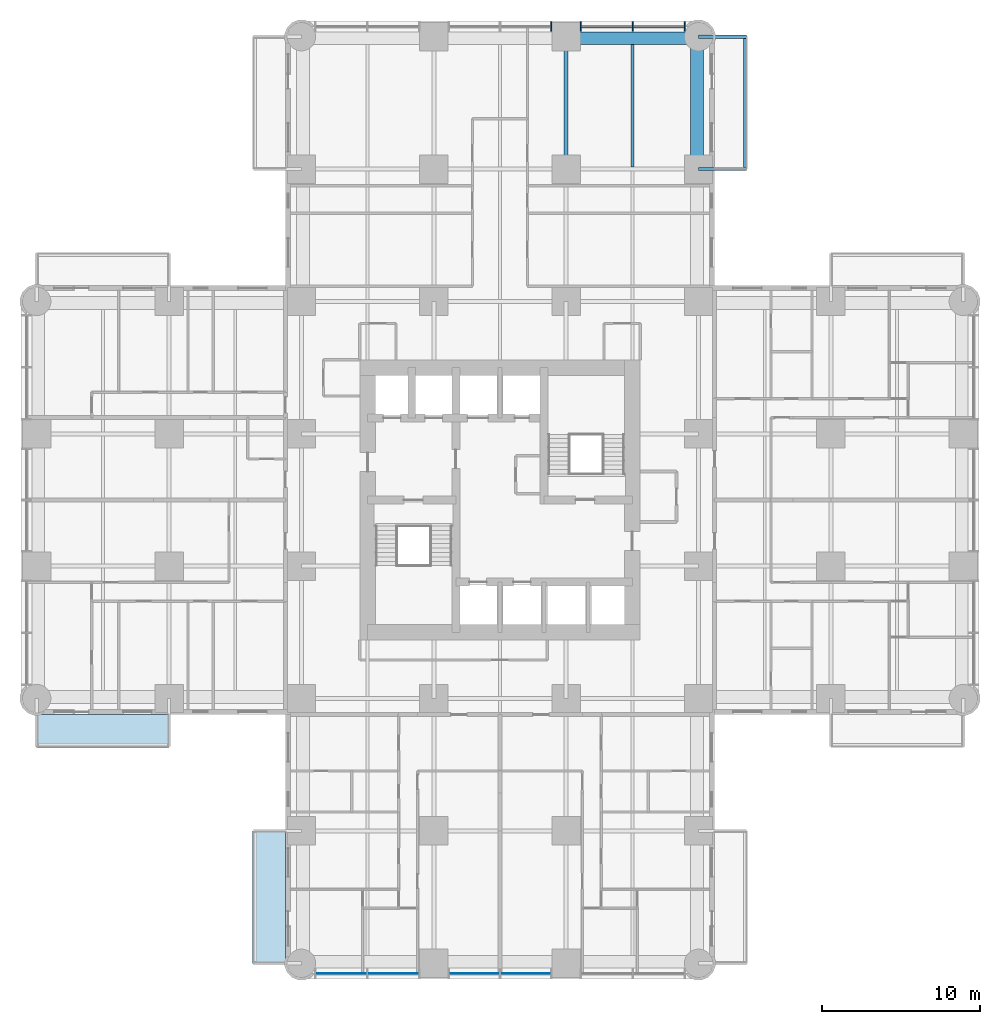
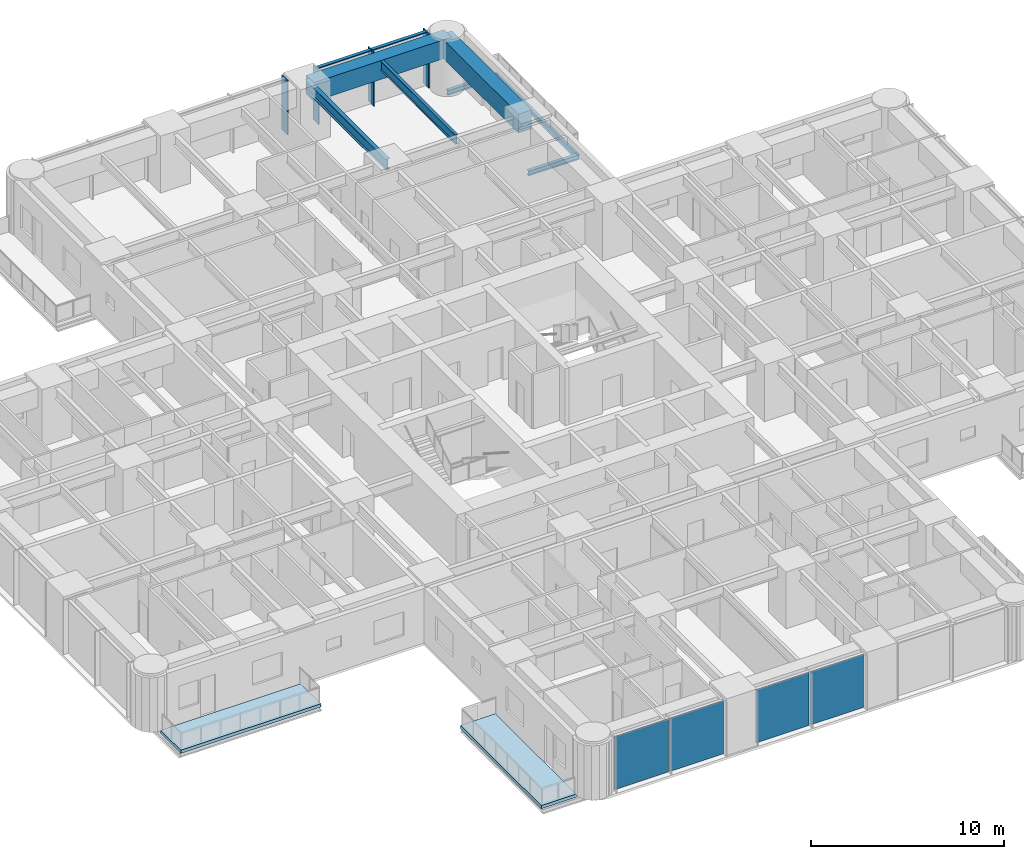
# One storey, part 5 of 17: 7 beams, 6 members, 4 plates, 2 slabs, 2 elements without a shape of their own.
"""IFC4 building model written with IfcOpenShell, lengths in metres."""

from ifc_helpers import new_model, si_unit, direction, frame, origin, origin_2d, place, context, subcontext, project, spatial, polyline, rectangle, i_section, outline, extrude, material, layer, layer_set, material_profile, profile_set, type_object, element, aggregate, save


model = new_model("IFC4")

# Units and contexts
model_context = context("Model", 3, precision=1e-05, world=origin(), true_north=direction((0.0, 1.0)))
body_context = subcontext(model_context, "Body", "Model", "MODEL_VIEW")
ifc_project = project(units=[si_unit("LENGTHUNIT", "METRE"), si_unit("AREAUNIT", "SQUARE_METRE"), si_unit("VOLUMEUNIT", "CUBIC_METRE"), si_unit("PLANEANGLEUNIT", "RADIAN"), si_unit("MASSUNIT", "GRAM", prefix="KILO")], contexts=[model_context])

# Site, building, storey
site_placement = place(None, origin())
site = spatial("IfcSite", under=ifc_project, at=site_placement, CompositionType="ELEMENT")
building_placement = place(site_placement, origin())
building = spatial("IfcBuilding", under=site, at=building_placement, Name="Torre Alcanfor", CompositionType="ELEMENT")
storey_placement = place(building_placement, frame((0.0, 0.0, 38.10009765625)))
storey = spatial("IfcBuildingStorey", under=building, at=storey_placement, Name="L08", CompositionType="ELEMENT", Elevation=38.10009765625)

# Beams
ifc_material_1 = material(Name="Steel ASTM A992 Grade 50", Category="steel")
ifc_material_profile_1 = material_profile(ifc_material_1, i_section(OverallWidth=0.205322265625, OverallDepth=0.309814453125, WebThickness=0.00927734375, FlangeThickness=0.016357421875, at=origin_2d()), Name="W12x50")
ifc_profile_set_1 = profile_set([ifc_material_profile_1], Name="Steel ASTM A992 Grade 50")
beam_type_1 = type_object("IfcBeamType", Name="Balcony cantilever beam W12x50", PredefinedType="BEAM", material=ifc_profile_set_1)
for number, where, z_axis, x_axis, name in (
    (1, (42.0, 50.39990234375, -0.35498046875), (1.0, 0.0, 0.0), (0.0, 1.0, 0.0), "Balcony cantilever beam L08-N2 1"),
    (2, (42.0, 58.800048828125, -0.35498046875), (1.0, 0.0, 0.0), (0.0, 1.0, 0.0), "Balcony cantilever beam L08-N2 2"),
):
    element("IfcBeam", number, at=place(storey_placement, frame(where, z_axis=z_axis, x_axis=x_axis)), inside=storey, type_object=beam_type_1, Name=name, PredefinedType="BEAM", context=body_context, shape_type="SweptSolid", body=[
        extrude(i_section(OverallWidth=0.205322265625, OverallDepth=0.309814453125, WebThickness=0.00927734375, FlangeThickness=0.016357421875, at=origin_2d()), origin(), (0.0, 0.0, 1.0), 3.050048828125),
    ])
ifc_material_2 = material(Name="Steel ASTM A992 Grade 50", Category="steel")
ifc_material_profile_2 = material_profile(ifc_material_2, i_section(OverallWidth=0.203369140625, OverallDepth=0.30224609375, WebThickness=0.007568359375, FlangeThickness=0.01318359375, at=origin_2d()), Name="W12x40")
ifc_profile_set_2 = profile_set([ifc_material_profile_2], Name="Steel ASTM A992 Grade 50")
beam_type_2 = type_object("IfcBeamType", Name="Balcony edge trimmer W12x40", PredefinedType="BEAM", material=ifc_profile_set_2)
beam_1_placement = place(storey_placement, frame((44.9482421875, 50.39990234375, -0.351318359375), z_axis=(0.0, 1.0, 0.0), x_axis=(-1.0, 0.0, 0.0)))
element("IfcBeam", 3, at=beam_1_placement, inside=storey, type_object=beam_type_2, Name="Balcony edge trimmer L08-N2", PredefinedType="BEAM", context=body_context, shape_type="SweptSolid", body=[
    extrude(i_section(OverallWidth=0.203369140625, OverallDepth=0.30224609375, WebThickness=0.007568359375, FlangeThickness=0.01318359375, at=origin_2d()), origin(), (0.0, 0.0, 1.0), 8.400146484375),
])

# Curtain wall, members
ifc_material_3 = material(Name="Aluminium and glass", Category="aluminium")
curtain_wall_type = type_object("IfcCurtainWallType", Name="CW-A unitised apartment glazing with vertical FIN", PredefinedType="NOTDEFINED", material=ifc_material_3)
curtain_wall_1_placement = place(storey_placement, origin())
curtain_wall_1 = element("IfcCurtainWall", 4, at=curtain_wall_1_placement, inside=storey, type_object=curtain_wall_type, Name="Curtain wall CW-A L08 11", PredefinedType="NOTDEFINED")
ifc_material_4 = material(Name="Bronze anodised aluminium", Category="aluminium")
ifc_material_profile_3 = material_profile(ifc_material_4, rectangle(XDim=0.60009765625, YDim=0.06494140625, at=origin_2d()), Name="CW-A mullion 65x600")
ifc_profile_set_3 = profile_set([ifc_material_profile_3], Name="Bronze anodised aluminium")
member_type_1 = type_object("IfcMemberType", Name="CW-A mullion with vertical FIN 65x600", PredefinedType="MULLION", material=ifc_profile_set_3)
member_1_placement = place(storey_placement, frame((41.133056640625, 59.449951171875, 0.0), z_axis=(0.0, 0.0, 1.0), x_axis=(0.0, -1.0, 0.0)))
member_1 = element("IfcMember", 5, at=member_1_placement, type_object=member_type_1, Name="CW-A mullion 1.1", PredefinedType="MULLION", context=body_context, shape_type="SweptSolid", body=[
    extrude(rectangle(XDim=0.60009765625, YDim=0.06494140625, at=origin_2d()), origin(), (0.0, 0.0, 1.0), 3.449951171875),
])
member_2_placement = place(storey_placement, frame((37.835205078125, 59.449951171875, 0.0), z_axis=(0.0, 0.0, 1.0), x_axis=(0.0, -1.0, 0.0)))
member_2 = element("IfcMember", 6, at=member_2_placement, type_object=member_type_1, Name="CW-A mullion 1.2", PredefinedType="MULLION", context=body_context, shape_type="SweptSolid", body=[
    extrude(rectangle(XDim=0.60009765625, YDim=0.06494140625, at=origin_2d()), origin(), (0.0, 0.0, 1.0), 3.449951171875),
])
member_3_placement = place(storey_placement, frame((34.53759765625, 59.449951171875, 0.0), z_axis=(0.0, 0.0, 1.0), x_axis=(0.0, -1.0, 0.0)))
member_3 = element("IfcMember", 7, at=member_3_placement, type_object=member_type_1, Name="CW-A mullion 1.3", PredefinedType="MULLION", context=body_context, shape_type="SweptSolid", body=[
    extrude(rectangle(XDim=0.60009765625, YDim=0.06494140625, at=origin_2d()), origin(), (0.0, 0.0, 1.0), 3.449951171875),
])
member_4_placement = place(storey_placement, frame((32.66259765625, 59.449951171875, 0.0), z_axis=(0.0, 0.0, 1.0), x_axis=(0.0, -1.0, 0.0)))
member_4 = element("IfcMember", 8, at=member_4_placement, type_object=member_type_1, Name="CW-A mullion 2.1", PredefinedType="MULLION", context=body_context, shape_type="SweptSolid", body=[
    extrude(rectangle(XDim=0.60009765625, YDim=0.06494140625, at=origin_2d()), origin(), (0.0, 0.0, 1.0), 3.449951171875),
])
ifc_material_5 = material(Name="Extruded aluminium", Category="aluminium")
ifc_material_profile_4 = material_profile(ifc_material_5, rectangle(XDim=0.199951171875, YDim=0.06494140625, at=origin_2d()), Name="CW-A transom 200x65")
ifc_profile_set_4 = profile_set([ifc_material_profile_4], Name="Extruded aluminium")
member_type_2 = type_object("IfcMemberType", Name="CW-A transom 65x200", PredefinedType="USERDEFINED", material=ifc_profile_set_4)
member_5_placement = place(storey_placement, frame((41.1005859375, 59.449951171875, 3.41748046875), z_axis=(-1.0, 0.0, 0.0), x_axis=(0.0, -1.0, 0.0)))
member_5 = element("IfcMember", 9, at=member_5_placement, type_object=member_type_2, Name="CW-A transom 1.1.2", ObjectType="TRANSOM", PredefinedType="USERDEFINED", context=body_context, shape_type="SweptSolid", body=[
    extrude(rectangle(XDim=0.199951171875, YDim=0.06494140625, at=origin_2d()), origin(), (0.0, 0.0, 1.0), 3.23291015625),
])
member_6_placement = place(storey_placement, frame((37.802734375, 59.449951171875, 3.41748046875), z_axis=(-1.0, 0.0, 0.0), x_axis=(0.0, -1.0, 0.0)))
member_6 = element("IfcMember", 10, at=member_6_placement, type_object=member_type_2, Name="CW-A transom 1.2.2", ObjectType="TRANSOM", PredefinedType="USERDEFINED", context=body_context, shape_type="SweptSolid", body=[
    extrude(rectangle(XDim=0.199951171875, YDim=0.06494140625, at=origin_2d()), origin(), (0.0, 0.0, 1.0), 3.232666015625),
])
aggregate(curtain_wall_1, [member_1, member_2, member_3, member_5, member_6, member_4])

# Beams
ifc_material_6 = material(Name="Steel ASTM A992 Grade 50", Category="steel")
ifc_material_profile_5 = material_profile(ifc_material_6, i_section(OverallWidth=0.25390625, OverallDepth=0.683349609375, WebThickness=0.012451171875, FlangeThickness=0.01904296875, at=origin_2d()), Name="W27x94")
ifc_profile_set_5 = profile_set([ifc_material_profile_5], Name="Steel ASTM A992 Grade 50")
beam_type_3 = type_object("IfcBeamType", Name="Girder W27x94", PredefinedType="BEAM", material=ifc_profile_set_5)
beam_2_placement = place(storey_placement, frame((33.60009765625, 50.39990234375, 3.108154296875), z_axis=(0.0, 1.0, 0.0), x_axis=(-1.0, 0.0, 0.0)))
element("IfcBeam", 11, at=beam_2_placement, inside=storey, type_object=beam_type_3, Name="Beam 5J-5K under L09", PredefinedType="BEAM", context=body_context, shape_type="SweptSolid", body=[
    extrude(i_section(OverallWidth=0.25390625, OverallDepth=0.683349609375, WebThickness=0.012451171875, FlangeThickness=0.01904296875, at=origin_2d()), origin(), (0.0, 0.0, 1.0), 8.400146484375),
])
ifc_material_7 = material(Name="Concrete f'c 70 MPa", Category="concrete")
ifc_material_profile_6 = material_profile(ifc_material_7, rectangle(XDim=0.800048828125, YDim=1.199951171875, at=origin_2d()), Name="800x1200")
ifc_profile_set_6 = profile_set([ifc_material_profile_6], Name="Concrete f'c 70 MPa")
beam_type_4 = type_object("IfcBeamType", Name="RC perimeter beam 800x1200", PredefinedType="BEAM", material=ifc_profile_set_6)
for number, where, z_axis, x_axis, name in (
    (12, (33.72705078125, 58.699951171875, 2.849853515625), (1.0, 0.0, 0.0), (0.0, 1.0, 0.0), "Beam 5K-6K under L09"),
    (13, (41.89990234375, 50.527099609375, 2.849853515625), (0.0, 1.0, 0.0), (-1.0, 0.0, 0.0), "Beam 6J-6K under L09"),
):
    element("IfcBeam", number, at=place(storey_placement, frame(where, z_axis=z_axis, x_axis=x_axis)), inside=storey, type_object=beam_type_4, Name=name, PredefinedType="BEAM", context=body_context, shape_type="SweptSolid", body=[
        extrude(rectangle(XDim=0.800048828125, YDim=1.199951171875, at=origin_2d()), origin(), (0.0, 0.0, 1.0), 8.27294921875),
    ])
ifc_material_8 = material(Name="Steel ASTM A992 Grade 50", Category="steel")
ifc_material_profile_7 = material_profile(ifc_material_8, i_section(OverallWidth=0.1787109375, OverallDepth=0.60205078125, WebThickness=0.010986328125, FlangeThickness=0.014892578125, at=origin_2d()), Name="W24x62")
ifc_profile_set_7 = profile_set([ifc_material_profile_7], Name="Steel ASTM A992 Grade 50")
beam_type_5 = type_object("IfcBeamType", Name="Secondary beam W24x62", PredefinedType="BEAM", material=ifc_profile_set_7)
beam_3_placement = place(storey_placement, frame((37.800048828125, 50.527099609375, 3.14892578125), z_axis=(0.0, 1.0, 0.0), x_axis=(-1.0, 0.0, 0.0)))
element("IfcBeam", 14, at=beam_3_placement, inside=storey, type_object=beam_type_5, Name="Beam 37_8J-37_8K under L09", PredefinedType="BEAM", context=body_context, shape_type="SweptSolid", body=[
    extrude(i_section(OverallWidth=0.1787109375, OverallDepth=0.60205078125, WebThickness=0.010986328125, FlangeThickness=0.014892578125, at=origin_2d()), origin(), (0.0, 0.0, 1.0), 7.77294921875),
])

# Slabs
ifc_material_9 = material(Name="Concrete f'c 35 MPa", Category="concrete")
ifc_layer_1 = layer(ifc_material_9, 0.199951171875)
ifc_layer_set_1 = layer_set([ifc_layer_1], Name="Balcony slab 200")
slab_type = type_object("IfcSlabType", Name="Balcony slab 200", PredefinedType="FLOOR", material=ifc_layer_set_1)
slab_1_placement = place(storey_placement, frame((0.0, 0.0, -0.2001953125)))
element("IfcSlab", 15, at=slab_1_placement, inside=storey, type_object=slab_type, Name="Balcony L08-S2", PredefinedType="FLOOR", context=body_context, shape_type="SweptSolid", body=[
    extrude(outline(polyline([(13.699951171875, 8.39990234375), (13.699951171875, 0.0), (15.800048828125, 0.0), (15.800048828125, 8.39990234375), (13.699951171875, 8.39990234375)])), origin(), (0.0, 0.0, 1.0), 0.2001953125),
])
slab_2_placement = place(storey_placement, frame((0.0, 0.0, -0.2001953125)))
element("IfcSlab", 16, at=slab_2_placement, inside=storey, type_object=slab_type, Name="Balcony L08-W1", PredefinedType="FLOOR", context=body_context, shape_type="SweptSolid", body=[
    extrude(outline(polyline([(8.39990234375, 15.800048828125), (0.0, 15.800048828125), (0.0, 13.699951171875), (8.39990234375, 13.699951171875), (8.39990234375, 15.800048828125)])), origin(), (0.0, 0.0, 1.0), 0.2001953125),
])

# Curtain wall, plates
curtain_wall_2_placement = place(storey_placement, origin())
curtain_wall_2 = element("IfcCurtainWall", 17, at=curtain_wall_2_placement, inside=storey, type_object=curtain_wall_type, Name="Curtain wall CW-A L08 5", PredefinedType="NOTDEFINED")
ifc_material_10 = material(Name="Glass", Category="glass")
ifc_layer_2 = layer(ifc_material_10, 0.028076171875)
ifc_layer_set_2 = layer_set([ifc_layer_2], Name="CW-A clear double glazed unit")
plate_type = type_object("IfcPlateType", Name="CW-A clear double glazed unit", PredefinedType="CURTAIN_PANEL", material=ifc_layer_set_2)
plate_1_placement = place(storey_placement, frame((19.31591796875, -0.64990234375, 0.0), z_axis=(0.0, 0.0, 1.0), x_axis=(1.0, 0.0, 0.0)))
plate_1 = element("IfcPlate", 18, at=plate_1_placement, type_object=plate_type, Name="CW-A panel 1.1.1", PredefinedType="CURTAIN_PANEL", context=body_context, shape_type="SweptSolid", body=[
    extrude(rectangle(XDim=3.232666015625, YDim=0.028076171875, at=origin_2d()), origin(), (0.0, 0.0, 1.0), 3.385009765625),
])
plate_2_placement = place(storey_placement, frame((22.613525390625, -0.64990234375, 0.0), z_axis=(0.0, 0.0, 1.0), x_axis=(1.0, 0.0, 0.0)))
plate_2 = element("IfcPlate", 19, at=plate_2_placement, type_object=plate_type, Name="CW-A panel 1.2.1", PredefinedType="CURTAIN_PANEL", context=body_context, shape_type="SweptSolid", body=[
    extrude(rectangle(XDim=3.232666015625, YDim=0.028076171875, at=origin_2d()), origin(), (0.0, 0.0, 1.0), 3.385009765625),
])
plate_3_placement = place(storey_placement, frame((27.768798828125, -0.64990234375, 0.0), z_axis=(0.0, 0.0, 1.0), x_axis=(1.0, 0.0, 0.0)))
plate_3 = element("IfcPlate", 20, at=plate_3_placement, type_object=plate_type, Name="CW-A panel 2.1.1", PredefinedType="CURTAIN_PANEL", context=body_context, shape_type="SweptSolid", body=[
    extrude(rectangle(XDim=3.197509765625, YDim=0.028076171875, at=origin_2d()), origin(), (0.0, 0.0, 1.0), 3.385009765625),
])
plate_4_placement = place(storey_placement, frame((31.03125, -0.64990234375, 0.0), z_axis=(0.0, 0.0, 1.0), x_axis=(1.0, 0.0, 0.0)))
plate_4 = element("IfcPlate", 21, at=plate_4_placement, type_object=plate_type, Name="CW-A panel 2.2.1", PredefinedType="CURTAIN_PANEL", context=body_context, shape_type="SweptSolid", body=[
    extrude(rectangle(XDim=3.197509765625, YDim=0.028076171875, at=origin_2d()), origin(), (0.0, 0.0, 1.0), 3.385009765625),
])
aggregate(curtain_wall_2, [plate_1, plate_2, plate_3, plate_4])

save(model, "model.ifc")
